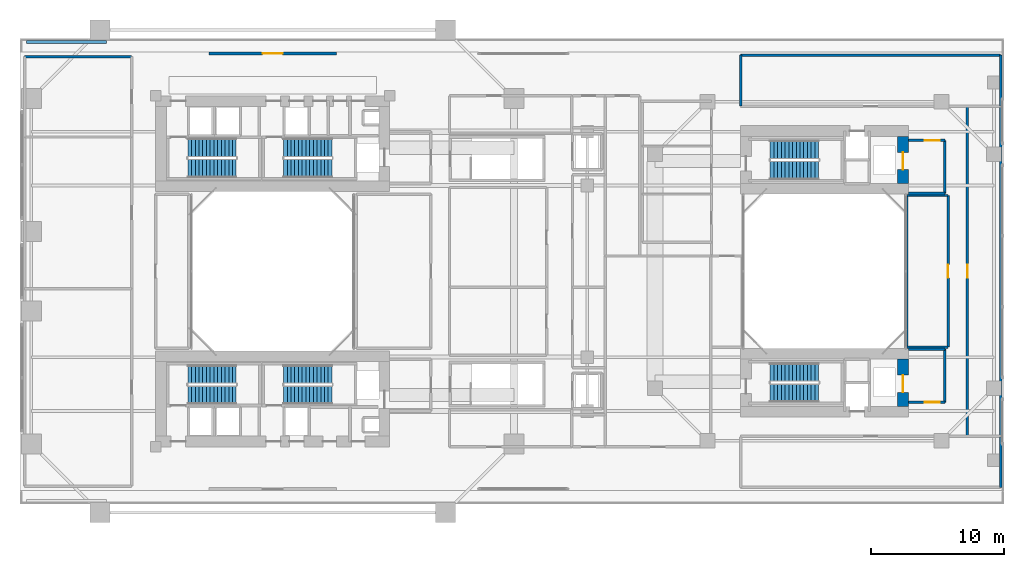
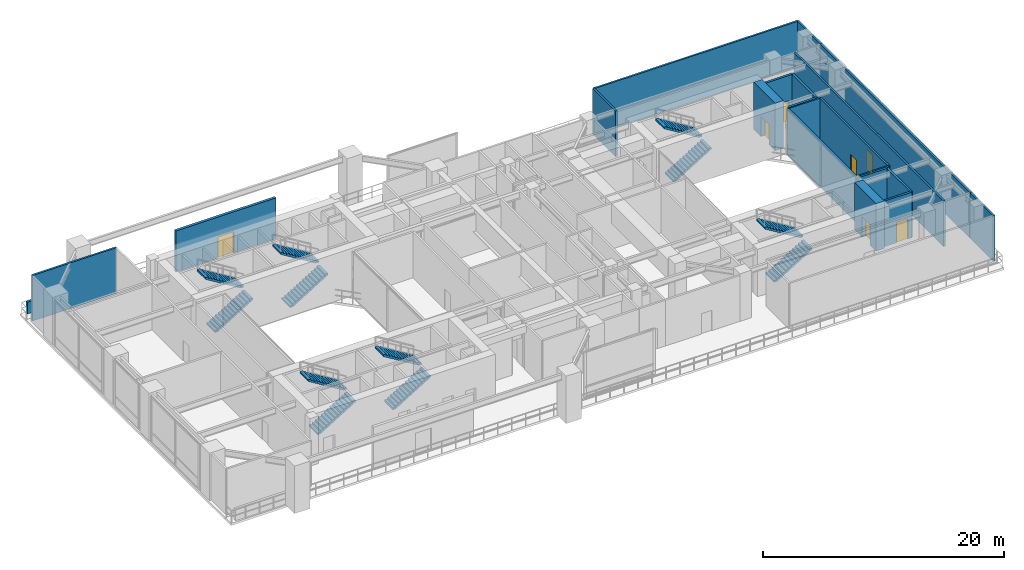
# One storey, part 15 of 19: 21 walls, 12 stair flights, 7 doors, 7 openings, 6 elements without a shape of their own.
"""IFC4 building model written with IfcOpenShell, lengths in metres."""

from ifc_helpers import new_model, si_unit, direction, frame, frame_2d, origin, place, context, subcontext, project, spatial, polyline, rectangle, outline, extrude, source, transform, mapped, material, layer, layer_set, type_object, element, fill, aggregate, save


model = new_model("IFC4")

# Units and contexts
model_context = context("Model", 3, precision=1e-05, world=origin(), true_north=direction((0.0, 1.0)))
body_context = subcontext(model_context, "Body", "Model", "MODEL_VIEW")
ifc_project = project(units=[si_unit("LENGTHUNIT", "METRE"), si_unit("AREAUNIT", "SQUARE_METRE"), si_unit("VOLUMEUNIT", "CUBIC_METRE"), si_unit("PLANEANGLEUNIT", "RADIAN"), si_unit("MASSUNIT", "GRAM", prefix="KILO"), si_unit("THERMODYNAMICTEMPERATUREUNIT", "KELVIN"), si_unit("POWERUNIT", "WATT")], contexts=[model_context])

# Site, building, storey
site_placement = place(None, origin())
site = spatial("IfcSite", under=ifc_project, at=site_placement, CompositionType="ELEMENT")
building_placement = place(site_placement, origin())
building = spatial("IfcBuilding", under=site, at=building_placement, Name="Qiaomeng Ring Towers", CompositionType="ELEMENT")
storey_placement = place(building_placement, frame((0.0, 0.0, 18.199951171875)))
storey = spatial("IfcBuildingStorey", under=building, at=storey_placement, Name="L04", CompositionType="ELEMENT", Elevation=18.199951171875)

# Wall, opening, door
ifc_material_1 = material(Name="Precast concrete C40", Category="concrete")
ifc_layer_1 = layer(ifc_material_1, 0.25, Name="Precast concrete C40")
ifc_layer_set_1 = layer_set([ifc_layer_1], Name="Precast concrete C40")
wall_type_1 = type_object("IfcWallType", Name="ARC-WL-EW1", PredefinedType="STANDARD", material=ifc_layer_set_1)
wall_1_placement = place(storey_placement, frame((14.199951171875, 39.375, 0.0), z_axis=(0.0, 0.0, 1.0), x_axis=(1.0, 0.0, 0.0)))
wall_1 = element("IfcWall", 1, at=wall_1_placement, inside=storey, type_object=wall_type_1, Name="L04 North Podium Wall", PredefinedType="STANDARD", context=body_context, shape_type="SweptSolid", body=[
    extrude(rectangle(XDim=9.60009765625, YDim=0.25, at=frame_2d((4.800048828125, 0.0))), origin(), (0.0, 0.0, 1.0), 4.16015625),
])
opening_1_placement = place(wall_1_placement, frame((4.050048828125, 0.0, 0.0)))
opening_1 = element("IfcOpeningElement", 2, at=opening_1_placement, cuts=wall_1, Name="Opening BD2", PredefinedType="OPENING", context=body_context, shape_type="SweptSolid", body=[
    extrude(rectangle(XDim=1.5, YDim=2.14990234375, at=frame_2d((0.75, 1.074951171875))), frame((0.0, 0.135009765625, 0.0), z_axis=(0.0, -1.0, 0.0), x_axis=(1.0, 0.0, 0.0)), (0.0, 0.0, 1.0), 0.27001953125),
])
ifc_material_2 = material(Name="Low-E pale-green laminated safety glass", Category="glass")
door_type_1 = type_object("IfcDoorType", Name="ARC-DR-BD2", OperationType="NOTDEFINED", PredefinedType="DOOR", material=ifc_material_2)
shared_shape_1 = source(origin(), body_context, "Body", "SweptSolid", [
    extrude(rectangle(XDim=1.5, YDim=2.14990234375, at=frame_2d((0.75, 1.074951171875))), frame((0.0, 0.02490234375, 0.0), z_axis=(0.0, -1.0, 0.0), x_axis=(1.0, 0.0, 0.0)), (0.0, 0.0, 1.0), 0.050048828125),
])
door_1_placement = place(opening_1_placement, origin())
door_1 = element("IfcDoor", 3, at=door_1_placement, inside=storey, type_object=door_type_1, Name="L04 North Podium Terrace Door", OperationType="DOUBLE_DOOR_SINGLE_SWING", OverallHeight=2.14990234375, OverallWidth=1.5, PredefinedType="DOOR", context=body_context, shape_type="MappedRepresentation", body=[
    mapped(shared_shape_1, transform((0.0, 0.0, 0.0), x_axis=(1.0, 0.0, 0.0), y_axis=(0.0, 1.0, 0.0), z_axis=(0.0, 0.0, 1.0), scale=1.0)),
])
fill(opening_1, door_1)

# Walls
ifc_layer_2 = layer(ifc_material_1, 0.199951171875, Name="Precast concrete C40")
ifc_layer_set_2 = layer_set([ifc_layer_2], Name="Precast concrete C40")
wall_type_2 = type_object("IfcWallType", Name="ARC-WL-PP1", PredefinedType="PARAPET", material=ifc_layer_set_2)
wall_2_placement = place(storey_placement, frame((0.5, 40.25, 0.0), z_axis=(0.0, 0.0, 1.0), x_axis=(1.0, 0.0, 0.0)))
element("IfcWall", 4, at=wall_2_placement, inside=storey, type_object=wall_type_2, Name="L04 North Terrace Parapet PP1", PredefinedType="PARAPET", context=body_context, shape_type="SweptSolid", body=[
    extrude(rectangle(XDim=6.0, YDim=0.199951171875, at=frame_2d((3.0, 0.0))), origin(), (0.0, 0.0, 1.0), 1.199951171875),
])
ifc_material_3 = material(Name="Autoclaved aerated concrete block", Category="concrete")
ifc_layer_3 = layer(ifc_material_3, 0.199951171875, Name="Autoclaved aerated concrete block")
ifc_layer_set_3 = layer_set([ifc_layer_3], Name="Autoclaved aerated concrete block")
wall_type_3 = type_object("IfcWallType", Name="ARC-WL-PW1", PredefinedType="PARTITIONING", material=ifc_layer_set_3)
wall_3_placement = place(storey_placement, frame((66.800048828125, 28.85009765625, 0.0), z_axis=(0.0, 0.0, 1.0), x_axis=(1.0, 0.0, 0.0)))
element("IfcWall", 5, at=wall_3_placement, inside=storey, type_object=wall_type_3, Name="L04 Interior Wall PW1", PredefinedType="PARTITIONING", context=body_context, shape_type="SweptSolid", body=[
    extrude(rectangle(XDim=2.75, YDim=0.199951171875, at=frame_2d((1.375, 0.0))), origin(), (0.0, 0.0, 1.0), 4.6201171875),
])
wall_4_placement = place(storey_placement, frame((69.550048828125, 28.85009765625, 0.0), z_axis=(0.0, 0.0, 1.0), x_axis=(0.0, 1.0, 0.0)))
element("IfcWall", 6, at=wall_4_placement, inside=storey, type_object=wall_type_3, Name="L04 Interior Wall PW1", PredefinedType="PARTITIONING", context=body_context, shape_type="SweptSolid", body=[
    extrude(rectangle(XDim=4.0, YDim=0.199951171875, at=frame_2d((2.0, 0.0))), origin(), (0.0, 0.0, 1.0), 4.6201171875),
])

# Wall, opening, door
wall_5_placement = place(storey_placement, frame((66.800048828125, 32.85009765625, 0.0), z_axis=(0.0, 0.0, 1.0), x_axis=(1.0, 0.0, 0.0)))
wall_5 = element("IfcWall", 7, at=wall_5_placement, inside=storey, type_object=wall_type_3, Name="L04 Interior Wall PW1", PredefinedType="PARTITIONING", context=body_context, shape_type="SweptSolid", body=[
    extrude(rectangle(XDim=2.75, YDim=0.199951171875, at=frame_2d((1.375, 0.0))), origin(), (0.0, 0.0, 1.0), 4.6201171875),
])
opening_2_placement = place(wall_5_placement, frame((1.25, 0.0, 0.0)))
opening_2 = element("IfcOpeningElement", 8, at=opening_2_placement, cuts=wall_5, Name="Opening FD3", PredefinedType="OPENING", context=body_context, shape_type="SweptSolid", body=[
    extrude(rectangle(XDim=1.10009765625, YDim=2.050048828125, at=frame_2d((0.550048828125, 1.02490234375))), frame((0.0, 0.10986328125, 0.0), z_axis=(0.0, -1.0, 0.0), x_axis=(1.0, 0.0, 0.0)), (0.0, 0.0, 1.0), 0.219970703125),
])
ifc_material_4 = material(Name="Galvanised steel", Category="steel")
door_type_2 = type_object("IfcDoorType", Name="ARC-DR-FD3", OperationType="NOTDEFINED", PredefinedType="DOOR", material=ifc_material_4)
shared_shape_2 = source(origin(), body_context, "Body", "SweptSolid", [
    extrude(rectangle(XDim=1.10009765625, YDim=2.050048828125, at=frame_2d((0.550048828125, 1.02490234375))), frame((0.0, 0.02490234375, 0.0), z_axis=(0.0, -1.0, 0.0), x_axis=(1.0, 0.0, 0.0)), (0.0, 0.0, 1.0), 0.050048828125),
])
door_2_placement = place(opening_2_placement, origin())
door_2 = element("IfcDoor", 9, at=door_2_placement, inside=storey, type_object=door_type_2, Name="L04 Door FD3", OperationType="SINGLE_SWING_RIGHT", OverallHeight=2.050048828125, OverallWidth=1.10009765625, PredefinedType="DOOR", context=body_context, shape_type="MappedRepresentation", body=[
    mapped(shared_shape_2, transform((0.0, 0.0, 0.0), x_axis=(1.0, 0.0, 0.0), y_axis=(0.0, 1.0, 0.0), z_axis=(0.0, 0.0, 1.0), scale=1.0)),
])
fill(opening_2, door_2)

# Walls
wall_6_placement = place(storey_placement, frame((66.800048828125, 17.14990234375, 0.0), z_axis=(0.0, 0.0, 1.0), x_axis=(1.0, 0.0, 0.0)))
element("IfcWall", 10, at=wall_6_placement, inside=storey, type_object=wall_type_3, Name="L04 Interior Wall PW1", PredefinedType="PARTITIONING", context=body_context, shape_type="SweptSolid", body=[
    extrude(rectangle(XDim=2.75, YDim=0.199951171875, at=frame_2d((1.375, 0.0))), origin(), (0.0, 0.0, 1.0), 4.6201171875),
])
wall_7_placement = place(storey_placement, frame((69.550048828125, 13.14990234375, 0.0), z_axis=(0.0, 0.0, 1.0), x_axis=(0.0, 1.0, 0.0)))
element("IfcWall", 11, at=wall_7_placement, inside=storey, type_object=wall_type_3, Name="L04 Interior Wall PW1", PredefinedType="PARTITIONING", context=body_context, shape_type="SweptSolid", body=[
    extrude(rectangle(XDim=4.0, YDim=0.199951171875, at=frame_2d((2.0, 0.0))), origin(), (0.0, 0.0, 1.0), 4.6201171875),
])

# Wall, opening, door
wall_8_placement = place(storey_placement, frame((66.800048828125, 13.14990234375, 0.0), z_axis=(0.0, 0.0, 1.0), x_axis=(1.0, 0.0, 0.0)))
wall_8 = element("IfcWall", 12, at=wall_8_placement, inside=storey, type_object=wall_type_3, Name="L04 Interior Wall PW1", PredefinedType="PARTITIONING", context=body_context, shape_type="SweptSolid", body=[
    extrude(rectangle(XDim=2.75, YDim=0.199951171875, at=frame_2d((1.375, 0.0))), origin(), (0.0, 0.0, 1.0), 4.6201171875),
])
opening_3_placement = place(wall_8_placement, frame((1.25, 0.0, 0.0)))
opening_3 = element("IfcOpeningElement", 13, at=opening_3_placement, cuts=wall_8, Name="Opening FD3", PredefinedType="OPENING", context=body_context, shape_type="SweptSolid", body=[
    extrude(rectangle(XDim=1.10009765625, YDim=2.050048828125, at=frame_2d((0.550048828125, 1.02490234375))), frame((0.0, 0.10986328125, 0.0), z_axis=(0.0, -1.0, 0.0), x_axis=(1.0, 0.0, 0.0)), (0.0, 0.0, 1.0), 0.219970703125),
])
door_3_placement = place(opening_3_placement, origin())
door_3 = element("IfcDoor", 14, at=door_3_placement, inside=storey, type_object=door_type_2, Name="L04 Door FD3", OperationType="SINGLE_SWING_RIGHT", OverallHeight=2.050048828125, OverallWidth=1.10009765625, PredefinedType="DOOR", context=body_context, shape_type="MappedRepresentation", body=[
    mapped(shared_shape_2, transform((0.0, 0.0, 0.0), x_axis=(1.0, 0.0, 0.0), y_axis=(0.0, 1.0, 0.0), z_axis=(0.0, 0.0, 1.0), scale=1.0)),
])
fill(opening_3, door_3)

# Walls
ifc_layer_4 = layer(ifc_material_3, 0.179931640625, Name="Autoclaved aerated concrete block")
ifc_layer_set_4 = layer_set([ifc_layer_4], Name="Autoclaved aerated concrete block")
wall_type_4 = type_object("IfcWallType", Name="ARC-WL-PW2", PredefinedType="PARTITIONING", material=ifc_layer_set_4)
wall_9_placement = place(storey_placement, frame((0.35009765625, 39.14990234375, 0.0), z_axis=(0.0, 0.0, 1.0), x_axis=(1.0, 0.0, 0.0)))
element("IfcWall", 15, at=wall_9_placement, inside=storey, type_object=wall_type_4, Name="L04 Interior Wall PW2", PredefinedType="PARTITIONING", context=body_context, shape_type="SweptSolid", body=[
    extrude(rectangle(XDim=8.0498046875, YDim=0.179931640625, at=frame_2d((4.02490234375, 0.0))), origin(), (0.0, 0.0, 1.0), 4.6201171875),
])
for number, where, z_axis, x_axis, name in (
    (16, (66.699951171875, 17.300048828125, 0.0), (0.0, 0.0, 1.0), (1.0, 0.0, 0.0), "L04 Interior Wall PW2"),
    (17, (66.699951171875, 28.699951171875, 0.0), (0.0, 0.0, 1.0), (1.0, 0.0, 0.0), "L04 Interior Wall PW2"),
):
    element("IfcWall", number, at=place(storey_placement, frame(where, z_axis=z_axis, x_axis=x_axis)), inside=storey, type_object=wall_type_4, Name=name, PredefinedType="PARTITIONING", context=body_context, shape_type="SweptSolid", body=[
        extrude(rectangle(XDim=3.10009765625, YDim=0.179931640625, at=frame_2d((1.550048828125, 0.0))), origin(), (0.0, 0.0, 1.0), 4.6201171875),
    ])
wall_10_placement = place(storey_placement, frame((66.699951171875, 17.300048828125, 0.0), z_axis=(0.0, 0.0, 1.0), x_axis=(0.0, 1.0, 0.0)))
element("IfcWall", 18, at=wall_10_placement, inside=storey, type_object=wall_type_4, Name="L04 Interior Wall PW2", PredefinedType="PARTITIONING", context=body_context, shape_type="SweptSolid", body=[
    extrude(rectangle(XDim=11.39990234375, YDim=0.179931640625, at=frame_2d((5.699951171875, 0.0))), origin(), (0.0, 0.0, 1.0), 4.6201171875),
])

# Wall, opening, door
wall_11_placement = place(storey_placement, frame((69.800048828125, 17.300048828125, 0.0), z_axis=(0.0, 0.0, 1.0), x_axis=(0.0, 1.0, 0.0)))
wall_11 = element("IfcWall", 19, at=wall_11_placement, inside=storey, type_object=wall_type_4, Name="L04 Interior Wall PW2", PredefinedType="PARTITIONING", context=body_context, shape_type="SweptSolid", body=[
    extrude(rectangle(XDim=11.39990234375, YDim=0.179931640625, at=frame_2d((5.699951171875, 0.0))), origin(), (0.0, 0.0, 1.0), 4.6201171875),
])
opening_4_placement = place(wall_11_placement, frame((5.199951171875, 0.0, 0.0)))
opening_4 = element("IfcOpeningElement", 20, at=opening_4_placement, cuts=wall_11, Name="Opening FD4", PredefinedType="OPENING", context=body_context, shape_type="SweptSolid", body=[
    extrude(rectangle(XDim=1.0, YDim=2.050048828125, at=frame_2d((0.5, 1.02490234375))), frame((0.0, 0.099853515625, 0.0), z_axis=(0.0, -1.0, 0.0), x_axis=(1.0, 0.0, 0.0)), (0.0, 0.0, 1.0), 0.199951171875),
])
ifc_material_5 = material(Name="Engineered fire-rated oak timber", Category="wood")
door_type_3 = type_object("IfcDoorType", Name="ARC-DR-FD4", OperationType="NOTDEFINED", PredefinedType="DOOR", material=ifc_material_5)
shared_shape_3 = source(origin(), body_context, "Body", "SweptSolid", [
    extrude(rectangle(XDim=1.0, YDim=2.050048828125, at=frame_2d((0.5, 1.02490234375))), frame((0.0, 0.02490234375, 0.0), z_axis=(0.0, -1.0, 0.0), x_axis=(1.0, 0.0, 0.0)), (0.0, 0.0, 1.0), 0.050048828125),
])
door_4_placement = place(opening_4_placement, origin())
door_4 = element("IfcDoor", 21, at=door_4_placement, inside=storey, type_object=door_type_3, Name="L04 L04 Health Education Seminar Room Door", OperationType="SINGLE_SWING_RIGHT", OverallHeight=2.050048828125, OverallWidth=1.0, PredefinedType="DOOR", context=body_context, shape_type="MappedRepresentation", body=[
    mapped(shared_shape_3, transform((0.0, 0.0, 0.0), x_axis=(1.0, 0.0, 0.0), y_axis=(0.0, 1.0, 0.0), z_axis=(0.0, 0.0, 1.0), scale=1.0)),
])
fill(opening_4, door_4)

wall_12_placement = place(storey_placement, frame((71.25, 10.60009765625, 0.0), z_axis=(0.0, 0.0, 1.0), x_axis=(0.0, 1.0, 0.0)))
wall_12 = element("IfcWall", 22, at=wall_12_placement, inside=storey, type_object=wall_type_4, Name="L04 Interior Wall PW2", PredefinedType="PARTITIONING", context=body_context, shape_type="SweptSolid", body=[
    extrude(rectangle(XDim=24.7998046875, YDim=0.179931640625, at=frame_2d((12.39990234375, 0.0))), origin(), (0.0, 0.0, 1.0), 4.6201171875),
])
opening_5_placement = place(wall_12_placement, frame((11.89990234375, 0.0, 0.0)))
opening_5 = element("IfcOpeningElement", 23, at=opening_5_placement, cuts=wall_12, Name="Opening FD4", PredefinedType="OPENING", context=body_context, shape_type="SweptSolid", body=[
    extrude(rectangle(XDim=1.0, YDim=2.050048828125, at=frame_2d((0.5, 1.02490234375))), frame((0.0, 0.099853515625, 0.0), z_axis=(0.0, -1.0, 0.0), x_axis=(1.0, 0.0, 0.0)), (0.0, 0.0, 1.0), 0.199951171875),
])
door_5_placement = place(opening_5_placement, origin())
door_5 = element("IfcDoor", 24, at=door_5_placement, inside=storey, type_object=door_type_3, Name="L04 L04 Nutrition Counselling Office Door", OperationType="SINGLE_SWING_LEFT", OverallHeight=2.050048828125, OverallWidth=1.0, PredefinedType="DOOR", context=body_context, shape_type="MappedRepresentation", body=[
    mapped(shared_shape_3, transform((0.0, 0.0, 0.0), x_axis=(1.0, 0.0, 0.0), y_axis=(0.0, 1.0, 0.0), z_axis=(0.0, 0.0, 1.0), scale=1.0)),
])
fill(opening_5, door_5)

# Walls
wall_13_placement = place(storey_placement, frame((73.75, 10.60009765625, 0.0), z_axis=(0.0, 0.0, 1.0), x_axis=(0.0, 1.0, 0.0)))
element("IfcWall", 25, at=wall_13_placement, inside=storey, type_object=wall_type_4, Name="L04 Interior Wall PW2", PredefinedType="PARTITIONING", context=body_context, shape_type="SweptSolid", body=[
    extrude(rectangle(XDim=24.7998046875, YDim=0.179931640625, at=frame_2d((12.39990234375, 0.0))), origin(), (0.0, 0.0, 1.0), 4.6201171875),
])
wall_14_placement = place(storey_placement, frame((73.75, 6.75, 0.0), z_axis=(0.0, 0.0, 1.0), x_axis=(0.0, 1.0, 0.0)))
element("IfcWall", 26, at=wall_14_placement, inside=storey, type_object=wall_type_4, Name="L04 Interior Wall PW2", PredefinedType="PARTITIONING", context=body_context, shape_type="SweptSolid", body=[
    extrude(rectangle(XDim=3.800048828125, YDim=0.179931640625, at=frame_2d((1.89990234375, 0.0))), origin(), (0.0, 0.0, 1.0), 4.6201171875),
])
wall_15_placement = place(storey_placement, frame((54.199951171875, 39.25, 0.0), z_axis=(0.0, 0.0, 1.0), x_axis=(1.0, 0.0, 0.0)))
element("IfcWall", 27, at=wall_15_placement, inside=storey, type_object=wall_type_4, Name="L04 Interior Wall PW2", PredefinedType="PARTITIONING", context=body_context, shape_type="SweptSolid", body=[
    extrude(rectangle(XDim=19.550048828125, YDim=0.179931640625, at=frame_2d((9.77490234375, 0.0))), origin(), (0.0, 0.0, 1.0), 4.6201171875),
])
for number, where, z_axis, x_axis, name in (
    (28, (54.199951171875, 35.449951171875, 0.0), (0.0, 0.0, 1.0), (0.0, 1.0, 0.0), "L04 Interior Wall PW2"),
    (29, (73.75, 35.449951171875, 0.0), (0.0, 0.0, 1.0), (0.0, 1.0, 0.0), "L04 Interior Wall PW2"),
):
    element("IfcWall", number, at=place(storey_placement, frame(where, z_axis=z_axis, x_axis=x_axis)), inside=storey, type_object=wall_type_4, Name=name, PredefinedType="PARTITIONING", context=body_context, shape_type="SweptSolid", body=[
        extrude(rectangle(XDim=3.800048828125, YDim=0.179931640625, at=frame_2d((1.89990234375, 0.0))), origin(), (0.0, 0.0, 1.0), 4.6201171875),
    ])

# Wall, opening, door
ifc_material_6 = material(Name="Concrete C60", Category="concrete")
ifc_layer_5 = layer(ifc_material_6, 0.800048828125, Name="Concrete C60")
ifc_layer_set_5 = layer_set([ifc_layer_5], Name="Concrete C60")
wall_type_5 = type_object("IfcWallType", Name="STR-WL-SW1", PredefinedType="SHEAR", material=ifc_layer_set_5)
wall_16_placement = place(storey_placement, frame((66.39990234375, 29.60009765625, 0.0), z_axis=(0.0, 0.0, 1.0), x_axis=(0.0, 1.0, 0.0)))
wall_16 = element("IfcWall", 30, at=wall_16_placement, inside=storey, type_object=wall_type_5, Name="L04 T2NC east core shear wall", PredefinedType="SHEAR", context=body_context, shape_type="SweptSolid", body=[
    extrude(rectangle(XDim=3.5498046875, YDim=0.800048828125, at=frame_2d((1.77490234375, 0.0))), origin(), (0.0, 0.0, 1.0), 4.800048828125),
])
opening_6_placement = place(wall_16_placement, frame((1.050048828125, 0.0, 0.0)))
opening_6 = element("IfcOpeningElement", 31, at=opening_6_placement, cuts=wall_16, Name="Opening LD2", PredefinedType="OPENING", context=body_context, shape_type="SweptSolid", body=[
    extrude(rectangle(XDim=1.300048828125, YDim=2.050048828125, at=frame_2d((0.64990234375, 1.02490234375))), frame((0.0, 0.409912109375, 0.0), z_axis=(0.0, -1.0, 0.0), x_axis=(1.0, 0.0, 0.0)), (0.0, 0.0, 1.0), 0.820068359375),
])
ifc_material_7 = material(Name="Stainless steel 316", Category="steel")
door_type_4 = type_object("IfcDoorType", Name="ARC-DR-LD2", OperationType="NOTDEFINED", PredefinedType="DOOR", material=ifc_material_7)
shared_shape_4 = source(origin(), body_context, "Body", "SweptSolid", [
    extrude(rectangle(XDim=1.300048828125, YDim=2.050048828125, at=frame_2d((0.64990234375, 1.02490234375))), frame((0.0, 0.02490234375, 0.0), z_axis=(0.0, -1.0, 0.0), x_axis=(1.0, 0.0, 0.0)), (0.0, 0.0, 1.0), 0.050048828125),
])
door_6_placement = place(opening_6_placement, origin())
door_6 = element("IfcDoor", 32, at=door_6_placement, inside=storey, type_object=door_type_4, Name="L04 Firefighting Lift FL3 Landing Door", OperationType="SLIDING_TO_LEFT", OverallHeight=2.050048828125, OverallWidth=1.300048828125, PredefinedType="DOOR", context=body_context, shape_type="MappedRepresentation", body=[
    mapped(shared_shape_4, transform((0.0, 0.0, 0.0), x_axis=(1.0, 0.0, 0.0), y_axis=(0.0, 1.0, 0.0), z_axis=(0.0, 0.0, 1.0), scale=1.0)),
])
fill(opening_6, door_6)

wall_17_placement = place(storey_placement, frame((66.39990234375, 12.85009765625, 0.0), z_axis=(0.0, 0.0, 1.0), x_axis=(0.0, 1.0, 0.0)))
wall_17 = element("IfcWall", 33, at=wall_17_placement, inside=storey, type_object=wall_type_5, Name="L04 T2SC east core shear wall", PredefinedType="SHEAR", context=body_context, shape_type="SweptSolid", body=[
    extrude(rectangle(XDim=3.5498046875, YDim=0.800048828125, at=frame_2d((1.77490234375, 0.0))), origin(), (0.0, 0.0, 1.0), 4.800048828125),
])
opening_7_placement = place(wall_17_placement, frame((1.050048828125, 0.0, 0.0)))
opening_7 = element("IfcOpeningElement", 34, at=opening_7_placement, cuts=wall_17, Name="Opening LD2", PredefinedType="OPENING", context=body_context, shape_type="SweptSolid", body=[
    extrude(rectangle(XDim=1.300048828125, YDim=2.050048828125, at=frame_2d((0.64990234375, 1.02490234375))), frame((0.0, 0.409912109375, 0.0), z_axis=(0.0, -1.0, 0.0), x_axis=(1.0, 0.0, 0.0)), (0.0, 0.0, 1.0), 0.820068359375),
])
door_7_placement = place(opening_7_placement, origin())
door_7 = element("IfcDoor", 35, at=door_7_placement, inside=storey, type_object=door_type_4, Name="L04 Firefighting Lift FL4 Landing Door", OperationType="SLIDING_TO_RIGHT", OverallHeight=2.050048828125, OverallWidth=1.300048828125, PredefinedType="DOOR", context=body_context, shape_type="MappedRepresentation", body=[
    mapped(shared_shape_4, transform((0.0, 0.0, 0.0), x_axis=(1.0, 0.0, 0.0), y_axis=(0.0, 1.0, 0.0), z_axis=(0.0, 0.0, 1.0), scale=1.0)),
])
fill(opening_7, door_7)

# Stair, stair flights
stair_type = type_object("IfcStairType", Name="ARC-ST-480", PredefinedType="HALF_TURN_STAIR", material=ifc_material_1)
stair_1_placement = place(storey_placement, origin())
stair_1 = element("IfcStair", 36, at=stair_1_placement, inside=storey, type_object=stair_type, Name="L04 Tower 1 North Stair 1", PredefinedType="HALF_TURN_STAIR")
stair_flight_type = type_object("IfcStairFlightType", Name="ARC-ST-480-FL", PredefinedType="STRAIGHT", material=ifc_material_1)
shared_shape_5 = source(origin(), body_context, "Body", "SweptSolid", [
    extrude(outline(polyline([(0.0, 0.0), (0.0, 0.17138671875), (0.280029296875, 0.17138671875), (0.280029296875, 0.3427734375), (0.56005859375, 0.3427734375), (0.56005859375, 0.514404296875), (0.840087890625, 0.514404296875), (0.840087890625, 0.685791015625), (1.1201171875, 0.685791015625), (1.1201171875, 0.857177734375), (1.39990234375, 0.857177734375), (1.39990234375, 1.028564453125), (1.679931640625, 1.028564453125), (1.679931640625, 1.199951171875), (1.9599609375, 1.199951171875), (1.9599609375, 1.371337890625), (2.239990234375, 1.371337890625), (2.239990234375, 1.54296875), (2.52001953125, 1.54296875), (2.52001953125, 1.71435546875), (2.800048828125, 1.71435546875), (2.800048828125, 1.8857421875), (3.080078125, 1.8857421875), (3.080078125, 2.05712890625), (3.360107421875, 2.05712890625), (3.360107421875, 2.228515625), (3.639892578125, 2.228515625), (3.639892578125, 2.39990234375), (3.639892578125, 2.052734375), (0.287109375, 0.0), (0.0, 0.0)])), frame((0.0, 0.699951171875, 0.0), z_axis=(0.0, -1.0, 0.0), x_axis=(1.0, 0.0, 0.0)), (0.0, 0.0, 1.0), 1.39990234375),
])
stair_flight_1_placement = place(storey_placement, frame((12.6201171875, 30.75, 0.0), z_axis=(0.0, 0.0, 1.0), x_axis=(1.0, 0.0, 0.0)))
stair_flight_1 = element("IfcStairFlight", 37, at=stair_flight_1_placement, type_object=stair_flight_type, Name="ST1 flight 1", NumberOfRisers=14, NumberOfTreads=13, PredefinedType="STRAIGHT", RiserHeight=0.171428571, TreadLength=0.28, context=body_context, shape_type="MappedRepresentation", body=[
    mapped(shared_shape_5, transform((0.0, 0.0, 0.0), x_axis=(1.0, 0.0, 0.0), y_axis=(0.0, 1.0, 0.0), z_axis=(0.0, 0.0, 1.0), scale=1.0)),
])
stair_flight_2_placement = place(storey_placement, frame((16.260009765625, 32.2900390625, 2.400146484375), z_axis=(0.0, 0.0, 1.0), x_axis=(-1.0, 0.0, 0.0)))
stair_flight_2 = element("IfcStairFlight", 38, at=stair_flight_2_placement, type_object=stair_flight_type, Name="ST1 flight 2", NumberOfRisers=14, NumberOfTreads=13, PredefinedType="STRAIGHT", RiserHeight=0.171428571, TreadLength=0.28, context=body_context, shape_type="MappedRepresentation", body=[
    mapped(shared_shape_5, transform((0.0, 0.0, 0.0), x_axis=(1.0, 0.0, 0.0), y_axis=(0.0, 1.0, 0.0), z_axis=(0.0, 0.0, 1.0), scale=1.0)),
])
aggregate(stair_1, [stair_flight_1, stair_flight_2])

stair_2_placement = place(storey_placement, origin())
stair_2 = element("IfcStair", 39, at=stair_2_placement, inside=storey, type_object=stair_type, Name="L04 Tower 1 North Stair 2", PredefinedType="HALF_TURN_STAIR")
stair_flight_3_placement = place(storey_placement, frame((19.820068359375, 30.75, 0.0), z_axis=(0.0, 0.0, 1.0), x_axis=(1.0, 0.0, 0.0)))
stair_flight_3 = element("IfcStairFlight", 40, at=stair_flight_3_placement, type_object=stair_flight_type, Name="ST2 flight 1", NumberOfRisers=14, NumberOfTreads=13, PredefinedType="STRAIGHT", RiserHeight=0.171428571, TreadLength=0.28, context=body_context, shape_type="MappedRepresentation", body=[
    mapped(shared_shape_5, transform((0.0, 0.0, 0.0), x_axis=(1.0, 0.0, 0.0), y_axis=(0.0, 1.0, 0.0), z_axis=(0.0, 0.0, 1.0), scale=1.0)),
])
stair_flight_4_placement = place(storey_placement, frame((23.4599609375, 32.2900390625, 2.400146484375), z_axis=(0.0, 0.0, 1.0), x_axis=(-1.0, 0.0, 0.0)))
stair_flight_4 = element("IfcStairFlight", 41, at=stair_flight_4_placement, type_object=stair_flight_type, Name="ST2 flight 2", NumberOfRisers=14, NumberOfTreads=13, PredefinedType="STRAIGHT", RiserHeight=0.171428571, TreadLength=0.28, context=body_context, shape_type="MappedRepresentation", body=[
    mapped(shared_shape_5, transform((0.0, 0.0, 0.0), x_axis=(1.0, 0.0, 0.0), y_axis=(0.0, 1.0, 0.0), z_axis=(0.0, 0.0, 1.0), scale=1.0)),
])
aggregate(stair_2, [stair_flight_3, stair_flight_4])

stair_3_placement = place(storey_placement, origin())
stair_3 = element("IfcStair", 42, at=stair_3_placement, inside=storey, type_object=stair_type, Name="L04 Tower 1 South Stair 3", PredefinedType="HALF_TURN_STAIR")
stair_flight_5_placement = place(storey_placement, frame((12.6201171875, 13.7099609375, 0.0), z_axis=(0.0, 0.0, 1.0), x_axis=(1.0, 0.0, 0.0)))
stair_flight_5 = element("IfcStairFlight", 43, at=stair_flight_5_placement, type_object=stair_flight_type, Name="ST3 flight 1", NumberOfRisers=14, NumberOfTreads=13, PredefinedType="STRAIGHT", RiserHeight=0.171428571, TreadLength=0.28, context=body_context, shape_type="MappedRepresentation", body=[
    mapped(shared_shape_5, transform((0.0, 0.0, 0.0), x_axis=(1.0, 0.0, 0.0), y_axis=(0.0, 1.0, 0.0), z_axis=(0.0, 0.0, 1.0), scale=1.0)),
])
stair_flight_6_placement = place(storey_placement, frame((16.260009765625, 15.25, 2.400146484375), z_axis=(0.0, 0.0, 1.0), x_axis=(-1.0, 0.0, 0.0)))
stair_flight_6 = element("IfcStairFlight", 44, at=stair_flight_6_placement, type_object=stair_flight_type, Name="ST3 flight 2", NumberOfRisers=14, NumberOfTreads=13, PredefinedType="STRAIGHT", RiserHeight=0.171428571, TreadLength=0.28, context=body_context, shape_type="MappedRepresentation", body=[
    mapped(shared_shape_5, transform((0.0, 0.0, 0.0), x_axis=(1.0, 0.0, 0.0), y_axis=(0.0, 1.0, 0.0), z_axis=(0.0, 0.0, 1.0), scale=1.0)),
])
aggregate(stair_3, [stair_flight_5, stair_flight_6])

stair_4_placement = place(storey_placement, origin())
stair_4 = element("IfcStair", 45, at=stair_4_placement, inside=storey, type_object=stair_type, Name="L04 Tower 1 South Stair 4", PredefinedType="HALF_TURN_STAIR")
stair_flight_7_placement = place(storey_placement, frame((19.820068359375, 13.7099609375, 0.0), z_axis=(0.0, 0.0, 1.0), x_axis=(1.0, 0.0, 0.0)))
stair_flight_7 = element("IfcStairFlight", 46, at=stair_flight_7_placement, type_object=stair_flight_type, Name="ST4 flight 1", NumberOfRisers=14, NumberOfTreads=13, PredefinedType="STRAIGHT", RiserHeight=0.171428571, TreadLength=0.28, context=body_context, shape_type="MappedRepresentation", body=[
    mapped(shared_shape_5, transform((0.0, 0.0, 0.0), x_axis=(1.0, 0.0, 0.0), y_axis=(0.0, 1.0, 0.0), z_axis=(0.0, 0.0, 1.0), scale=1.0)),
])
stair_flight_8_placement = place(storey_placement, frame((23.4599609375, 15.25, 2.400146484375), z_axis=(0.0, 0.0, 1.0), x_axis=(-1.0, 0.0, 0.0)))
stair_flight_8 = element("IfcStairFlight", 47, at=stair_flight_8_placement, type_object=stair_flight_type, Name="ST4 flight 2", NumberOfRisers=14, NumberOfTreads=13, PredefinedType="STRAIGHT", RiserHeight=0.171428571, TreadLength=0.28, context=body_context, shape_type="MappedRepresentation", body=[
    mapped(shared_shape_5, transform((0.0, 0.0, 0.0), x_axis=(1.0, 0.0, 0.0), y_axis=(0.0, 1.0, 0.0), z_axis=(0.0, 0.0, 1.0), scale=1.0)),
])
aggregate(stair_4, [stair_flight_7, stair_flight_8])

stair_5_placement = place(storey_placement, origin())
stair_5 = element("IfcStair", 48, at=stair_5_placement, inside=storey, type_object=stair_type, Name="L04 Companion North Stair 5", PredefinedType="HALF_TURN_STAIR")
stair_flight_9_placement = place(storey_placement, frame((56.419921875, 30.60009765625, 0.0), z_axis=(0.0, 0.0, 1.0), x_axis=(1.0, 0.0, 0.0)))
stair_flight_9 = element("IfcStairFlight", 49, at=stair_flight_9_placement, type_object=stair_flight_type, Name="ST5 flight 1", NumberOfRisers=14, NumberOfTreads=13, PredefinedType="STRAIGHT", RiserHeight=0.171428571, TreadLength=0.28, context=body_context, shape_type="MappedRepresentation", body=[
    mapped(shared_shape_5, transform((0.0, 0.0, 0.0), x_axis=(1.0, 0.0, 0.0), y_axis=(0.0, 1.0, 0.0), z_axis=(0.0, 0.0, 1.0), scale=1.0)),
])
stair_flight_10_placement = place(storey_placement, frame((60.06005859375, 32.139892578125, 2.400146484375), z_axis=(0.0, 0.0, 1.0), x_axis=(-1.0, 0.0, 0.0)))
stair_flight_10 = element("IfcStairFlight", 50, at=stair_flight_10_placement, type_object=stair_flight_type, Name="ST5 flight 2", NumberOfRisers=14, NumberOfTreads=13, PredefinedType="STRAIGHT", RiserHeight=0.171428571, TreadLength=0.28, context=body_context, shape_type="MappedRepresentation", body=[
    mapped(shared_shape_5, transform((0.0, 0.0, 0.0), x_axis=(1.0, 0.0, 0.0), y_axis=(0.0, 1.0, 0.0), z_axis=(0.0, 0.0, 1.0), scale=1.0)),
])
aggregate(stair_5, [stair_flight_9, stair_flight_10])

stair_6_placement = place(storey_placement, origin())
stair_6 = element("IfcStair", 51, at=stair_6_placement, inside=storey, type_object=stair_type, Name="L04 Companion South Stair 6", PredefinedType="HALF_TURN_STAIR")
stair_flight_11_placement = place(storey_placement, frame((56.419921875, 13.860107421875, 0.0), z_axis=(0.0, 0.0, 1.0), x_axis=(1.0, 0.0, 0.0)))
stair_flight_11 = element("IfcStairFlight", 52, at=stair_flight_11_placement, type_object=stair_flight_type, Name="ST6 flight 1", NumberOfRisers=14, NumberOfTreads=13, PredefinedType="STRAIGHT", RiserHeight=0.171428571, TreadLength=0.28, context=body_context, shape_type="MappedRepresentation", body=[
    mapped(shared_shape_5, transform((0.0, 0.0, 0.0), x_axis=(1.0, 0.0, 0.0), y_axis=(0.0, 1.0, 0.0), z_axis=(0.0, 0.0, 1.0), scale=1.0)),
])
stair_flight_12_placement = place(storey_placement, frame((60.06005859375, 15.39990234375, 2.400146484375), z_axis=(0.0, 0.0, 1.0), x_axis=(-1.0, 0.0, 0.0)))
stair_flight_12 = element("IfcStairFlight", 53, at=stair_flight_12_placement, type_object=stair_flight_type, Name="ST6 flight 2", NumberOfRisers=14, NumberOfTreads=13, PredefinedType="STRAIGHT", RiserHeight=0.171428571, TreadLength=0.28, context=body_context, shape_type="MappedRepresentation", body=[
    mapped(shared_shape_5, transform((0.0, 0.0, 0.0), x_axis=(1.0, 0.0, 0.0), y_axis=(0.0, 1.0, 0.0), z_axis=(0.0, 0.0, 1.0), scale=1.0)),
])
aggregate(stair_6, [stair_flight_11, stair_flight_12])

save(model, "model.ifc")
